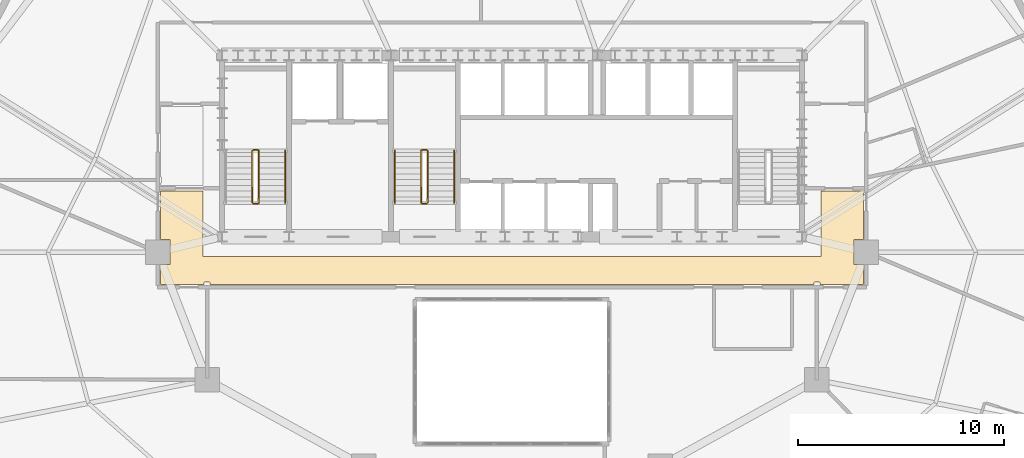
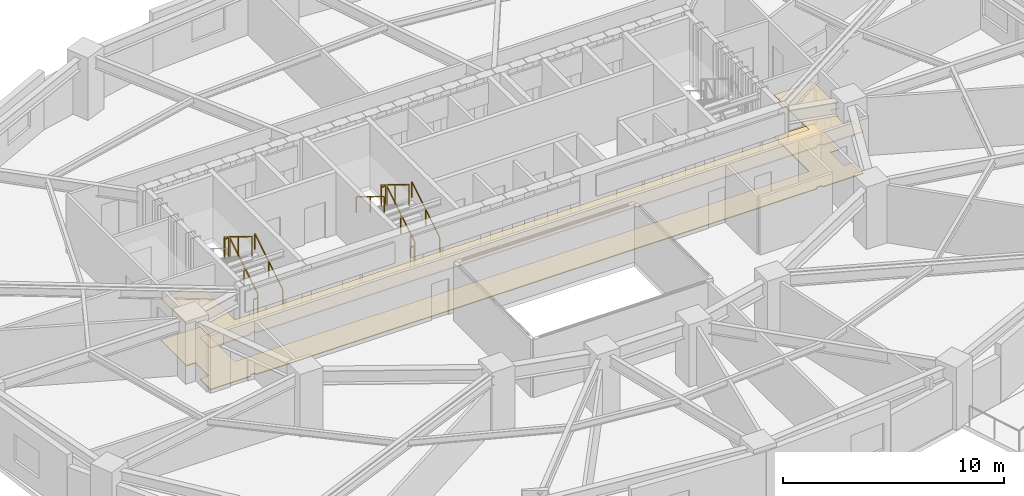
# One storey, part 11 of 12: 11 railings, 2 coverings.
"""IFC4 building model written with IfcOpenShell, lengths in metres."""

from ifc_helpers import new_model, si_unit, direction, frame, origin, origin_2d, place, context, subcontext, project, spatial, polyline, rectangle, outline, extrude, material, layer, layer_set, type_object, element, save


model = new_model("IFC4")

# Units and contexts
model_context = context("Model", 3, precision=1e-05, world=origin(), true_north=direction((0.0, 1.0)))
body_context = subcontext(model_context, "Body", "Model", "MODEL_VIEW")
ifc_project = project(units=[si_unit("LENGTHUNIT", "METRE"), si_unit("AREAUNIT", "SQUARE_METRE"), si_unit("VOLUMEUNIT", "CUBIC_METRE"), si_unit("PLANEANGLEUNIT", "RADIAN"), si_unit("MASSUNIT", "GRAM", prefix="KILO")], contexts=[model_context])

# Site, building, storey
site_placement = place(None, origin())
site = spatial("IfcSite", under=ifc_project, at=site_placement, CompositionType="ELEMENT")
building_placement = place(site_placement, origin())
building = spatial("IfcBuilding", under=site, at=building_placement, Name="Haldorwick Loom Tower", CompositionType="ELEMENT")
storey_placement = place(building_placement, frame((0.0, 0.0, 110.449951171875)))
storey = spatial("IfcBuildingStorey", under=building, at=storey_placement, Name="L29", CompositionType="ELEMENT", Elevation=110.449951171875)

# Coverings
ifc_material_1 = material(Name="Mineral Fibre Acoustic Ceiling Tile")
ifc_layer_1 = layer(ifc_material_1, 0.054931640625, Name="Mineral Fibre Acoustic Ceiling Tile")
ifc_layer_set_1 = layer_set([ifc_layer_1], Name="Mineral Fibre Acoustic Ceiling Tile")
covering_type_1 = type_object("IfcCoveringType", Name="ARC-COV-CEIL2", PredefinedType="CEILING", material=ifc_layer_set_1)
covering_1_placement = place(storey_placement, frame((0.0, 0.0, 2.302001953125)))
element("IfcCovering", 1, at=covering_1_placement, inside=storey, type_object=covering_type_1, Name="L29 Acoustic Suspended Ceiling 1", PredefinedType="CEILING", context=body_context, shape_type="SweptSolid", body=[
    extrude(outline(polyline([(21.320068359375, 24.5400390625), (21.322021484375, 24.539794921875), (21.323974609375, 24.53955078125), (21.32568359375, 24.5390625), (21.32763671875, 24.53857421875), (21.329345703125, 24.53759765625), (21.3310546875, 24.53662109375), (21.332763671875, 24.535400390625), (21.333984375, 24.5341796875), (21.33544921875, 24.53271484375), (21.336669921875, 24.531005859375), (21.337646484375, 24.529296875), (21.33837890625, 24.527587890625), (21.339111328125, 24.52587890625), (21.339599609375, 24.52392578125), (21.33984375, 24.52197265625), (21.340087890625, 24.52001953125), (21.340087890625, 24.43994140625), (50.659912109375, 24.43994140625), (50.659912109375, 24.52001953125), (50.66015625, 24.52197265625), (50.660400390625, 24.52392578125), (50.660888671875, 24.52587890625), (50.66162109375, 24.527587890625), (50.662353515625, 24.529296875), (50.663330078125, 24.531005859375), (50.66455078125, 24.53271484375), (50.666015625, 24.5341796875), (50.667236328125, 24.535400390625), (50.6689453125, 24.53662109375), (50.670654296875, 24.53759765625), (50.67236328125, 24.53857421875), (50.67431640625, 24.5390625), (50.676025390625, 24.53955078125), (50.677978515625, 24.539794921875), (50.679931640625, 24.5400390625), (50.919921875, 24.5400390625), (50.922119140625, 24.539794921875), (50.923828125, 24.53955078125), (50.92578125, 24.5390625), (50.927734375, 24.53857421875), (50.929443359375, 24.53759765625), (50.93115234375, 24.53662109375), (50.9326171875, 24.535400390625), (50.93408203125, 24.5341796875), (50.935546875, 24.53271484375), (50.9365234375, 24.531005859375), (50.9375, 24.529296875), (50.9384765625, 24.527587890625), (50.939208984375, 24.52587890625), (50.939697265625, 24.52392578125), (50.93994140625, 24.52197265625), (50.93994140625, 24.52001953125), (50.93994140625, 24.43994140625), (53.06005859375, 24.43994140625), (53.06005859375, 25.39208984375), (52.592041015625, 25.39208984375), (52.592041015625, 26.60791015625), (53.06005859375, 26.60791015625), (53.06005859375, 28.9599609375), (51.0, 28.9599609375), (51.0, 25.800048828125), (21.0, 25.800048828125), (21.0, 28.9599609375), (18.93994140625, 28.9599609375), (18.93994140625, 26.60791015625), (19.407958984375, 26.60791015625), (19.407958984375, 25.39208984375), (18.93994140625, 25.39208984375), (18.93994140625, 24.43994140625), (21.06005859375, 24.43994140625), (21.06005859375, 24.52001953125), (21.06005859375, 24.52197265625), (21.060302734375, 24.52392578125), (21.060791015625, 24.52587890625), (21.0615234375, 24.527587890625), (21.0625, 24.529296875), (21.0634765625, 24.531005859375), (21.064453125, 24.53271484375), (21.06591796875, 24.5341796875), (21.0673828125, 24.535400390625), (21.06884765625, 24.53662109375), (21.070556640625, 24.53759765625), (21.072265625, 24.53857421875), (21.07421875, 24.5390625), (21.076171875, 24.53955078125), (21.077880859375, 24.539794921875), (21.080078125, 24.5400390625), (21.320068359375, 24.5400390625)])), origin(), (0.0, 0.0, 1.0), 0.054931640625),
])
ifc_material_2 = material(Name="Polished Aggregate Terrazzo Finish")
ifc_layer_2 = layer(ifc_material_2, 0.044921875, Name="Polished Aggregate Terrazzo Finish")
ifc_layer_set_2 = layer_set([ifc_layer_2], Name="Polished Aggregate Terrazzo Finish")
covering_type_2 = type_object("IfcCoveringType", Name="ARC-COV-FLOOR2", PredefinedType="FLOORING", material=ifc_layer_set_2)
covering_2_placement = place(storey_placement, origin())
element("IfcCovering", 2, at=covering_2_placement, inside=storey, type_object=covering_type_2, Name="L29 Floor Finish 1", PredefinedType="FLOORING", context=body_context, shape_type="SweptSolid", body=[
    extrude(outline(polyline([(21.320068359375, 24.5400390625), (21.322021484375, 24.539794921875), (21.323974609375, 24.53955078125), (21.32568359375, 24.5390625), (21.32763671875, 24.53857421875), (21.329345703125, 24.53759765625), (21.3310546875, 24.53662109375), (21.332763671875, 24.535400390625), (21.333984375, 24.5341796875), (21.33544921875, 24.53271484375), (21.336669921875, 24.531005859375), (21.337646484375, 24.529296875), (21.33837890625, 24.527587890625), (21.339111328125, 24.52587890625), (21.339599609375, 24.52392578125), (21.33984375, 24.52197265625), (21.340087890625, 24.52001953125), (21.340087890625, 24.43994140625), (50.659912109375, 24.43994140625), (50.659912109375, 24.52001953125), (50.66015625, 24.52197265625), (50.660400390625, 24.52392578125), (50.660888671875, 24.52587890625), (50.66162109375, 24.527587890625), (50.662353515625, 24.529296875), (50.663330078125, 24.531005859375), (50.66455078125, 24.53271484375), (50.666015625, 24.5341796875), (50.667236328125, 24.535400390625), (50.6689453125, 24.53662109375), (50.670654296875, 24.53759765625), (50.67236328125, 24.53857421875), (50.67431640625, 24.5390625), (50.676025390625, 24.53955078125), (50.677978515625, 24.539794921875), (50.679931640625, 24.5400390625), (50.919921875, 24.5400390625), (50.922119140625, 24.539794921875), (50.923828125, 24.53955078125), (50.92578125, 24.5390625), (50.927734375, 24.53857421875), (50.929443359375, 24.53759765625), (50.93115234375, 24.53662109375), (50.9326171875, 24.535400390625), (50.93408203125, 24.5341796875), (50.935546875, 24.53271484375), (50.9365234375, 24.531005859375), (50.9375, 24.529296875), (50.9384765625, 24.527587890625), (50.939208984375, 24.52587890625), (50.939697265625, 24.52392578125), (50.93994140625, 24.52197265625), (50.93994140625, 24.52001953125), (50.93994140625, 24.43994140625), (53.06005859375, 24.43994140625), (53.06005859375, 25.39208984375), (52.592041015625, 25.39208984375), (52.592041015625, 26.60791015625), (53.06005859375, 26.60791015625), (53.06005859375, 28.9599609375), (51.0, 28.9599609375), (51.0, 25.800048828125), (21.0, 25.800048828125), (21.0, 28.9599609375), (18.93994140625, 28.9599609375), (18.93994140625, 26.60791015625), (19.407958984375, 26.60791015625), (19.407958984375, 25.39208984375), (18.93994140625, 25.39208984375), (18.93994140625, 24.43994140625), (21.06005859375, 24.43994140625), (21.06005859375, 24.52001953125), (21.06005859375, 24.52197265625), (21.060302734375, 24.52392578125), (21.060791015625, 24.52587890625), (21.0615234375, 24.527587890625), (21.0625, 24.529296875), (21.0634765625, 24.531005859375), (21.064453125, 24.53271484375), (21.06591796875, 24.5341796875), (21.0673828125, 24.535400390625), (21.06884765625, 24.53662109375), (21.070556640625, 24.53759765625), (21.072265625, 24.53857421875), (21.07421875, 24.5390625), (21.076171875, 24.53955078125), (21.077880859375, 24.539794921875), (21.080078125, 24.5400390625), (21.320068359375, 24.5400390625)])), origin(), (0.0, 0.0, 1.0), 0.045166015625),
])

# Railings
ifc_material_3 = material(Name="Steel CSA G40.21 350W", Category="steel")
railing_type_1 = type_object("IfcRailingType", Name="ARC-RLG-GUARD112", PredefinedType="GUARDRAIL", material=ifc_material_3)
railing_1_placement = place(storey_placement, frame((23.699951171875, 28.39990234375, 0.172607421875)))
element("IfcRailing", 3, at=railing_1_placement, inside=storey, type_object=railing_type_1, Name="L29 ST-01 stair guard 1", PredefinedType="GUARDRAIL", context=body_context, shape_type="SweptSolid", body=[
    extrude(rectangle(XDim=0.048095703125, YDim=0.048095703125, at=origin_2d()), frame((0.0, 0.0, 1.076171875), z_axis=(0.0, 0.851400495292, 0.524516154772), x_axis=(-1.0, 0.0, 0.0)), (0.0, 0.0, 1.0), 2.9599609375),
    extrude(rectangle(XDim=0.0419921875, YDim=0.0419921875, at=origin_2d()), origin(), (0.0, 0.0, 1.0), 1.052001953125),
    extrude(rectangle(XDim=0.0419921875, YDim=0.0419921875, at=origin_2d()), frame((0.0, 1.260009765625, 0.7763671875)), (0.0, 0.0, 1.0), 1.052001953125),
    extrude(rectangle(XDim=0.0419921875, YDim=0.0419921875, at=origin_2d()), frame((0.0, 2.52001953125, 1.552490234375)), (0.0, 0.0, 1.0), 1.052001953125),
])
railing_2_placement = place(storey_placement, frame((23.64990234375, 30.969970703125, 1.72509765625)))
element("IfcRailing", 4, at=railing_2_placement, inside=storey, type_object=railing_type_1, Name="L29 ST-01 stair guard 2", PredefinedType="GUARDRAIL", context=body_context, shape_type="SweptSolid", body=[
    extrude(rectangle(XDim=0.048095703125, YDim=0.048095703125, at=origin_2d()), frame((0.0, 0.0, 1.076171875), z_axis=(-1.0, 0.0, 0.0), x_axis=(0.0, -1.0, 0.0)), (0.0, 0.0, 1.0), 0.199951171875),
    extrude(rectangle(XDim=0.0419921875, YDim=0.0419921875, at=origin_2d()), origin(), (0.0, 0.0, 1.0), 1.052001953125),
    extrude(rectangle(XDim=0.0419921875, YDim=0.0419921875, at=origin_2d()), frame((-0.199951171875, 0.0, 0.0)), (0.0, 0.0, 1.0), 1.052001953125),
])
railing_3_placement = place(storey_placement, frame((23.39990234375, 30.919921875, 1.8974609375)))
element("IfcRailing", 5, at=railing_3_placement, inside=storey, type_object=railing_type_1, Name="L29 ST-01 stair guard 3", PredefinedType="GUARDRAIL", context=body_context, shape_type="SweptSolid", body=[
    extrude(rectangle(XDim=0.048095703125, YDim=0.048095703125, at=origin_2d()), frame((0.0, 0.0, 1.076171875), z_axis=(0.0, -0.851400495292, 0.524516154772), x_axis=(1.0, 0.0, 0.0)), (0.0, 0.0, 1.0), 2.9599609375),
    extrude(rectangle(XDim=0.0419921875, YDim=0.0419921875, at=origin_2d()), origin(), (0.0, 0.0, 1.0), 1.052001953125),
    extrude(rectangle(XDim=0.0419921875, YDim=0.0419921875, at=origin_2d()), frame((0.0, -1.260009765625, 0.7763671875)), (0.0, 0.0, 1.0), 1.052001953125),
    extrude(rectangle(XDim=0.0419921875, YDim=0.0419921875, at=origin_2d()), frame((0.0, -2.52001953125, 1.552490234375)), (0.0, 0.0, 1.0), 1.052001953125),
])
railing_4_placement = place(storey_placement, frame((23.64990234375, 28.35009765625, 0.0)))
element("IfcRailing", 6, at=railing_4_placement, inside=storey, type_object=railing_type_1, Name="L29 ST-01 stair guard 4", PredefinedType="GUARDRAIL", context=body_context, shape_type="SweptSolid", body=[
    extrude(rectangle(XDim=0.048095703125, YDim=0.048095703125, at=origin_2d()), frame((0.0, 0.0, 1.076171875), z_axis=(-1.0, 0.0, 0.0), x_axis=(0.0, -1.0, 0.0)), (0.0, 0.0, 1.0), 0.199951171875),
    extrude(rectangle(XDim=0.0419921875, YDim=0.0419921875, at=origin_2d()), origin(), (0.0, 0.0, 1.0), 1.052001953125),
    extrude(rectangle(XDim=0.0419921875, YDim=0.0419921875, at=origin_2d()), frame((-0.199951171875, 0.0, 0.0)), (0.0, 0.0, 1.0), 1.052001953125),
])
railing_5_placement = place(storey_placement, frame((31.89990234375, 28.39990234375, 0.172607421875)))
element("IfcRailing", 7, at=railing_5_placement, inside=storey, type_object=railing_type_1, Name="L29 ST-03 stair guard 1", PredefinedType="GUARDRAIL", context=body_context, shape_type="SweptSolid", body=[
    extrude(rectangle(XDim=0.048095703125, YDim=0.048095703125, at=origin_2d()), frame((0.0, 0.0, 1.076171875), z_axis=(0.0, 0.851400495292, 0.524516154772), x_axis=(-1.0, 0.0, 0.0)), (0.0, 0.0, 1.0), 2.9599609375),
    extrude(rectangle(XDim=0.0419921875, YDim=0.0419921875, at=origin_2d()), origin(), (0.0, 0.0, 1.0), 1.052001953125),
    extrude(rectangle(XDim=0.0419921875, YDim=0.0419921875, at=origin_2d()), frame((0.0, 1.260009765625, 0.7763671875)), (0.0, 0.0, 1.0), 1.052001953125),
    extrude(rectangle(XDim=0.0419921875, YDim=0.0419921875, at=origin_2d()), frame((0.0, 2.52001953125, 1.552490234375)), (0.0, 0.0, 1.0), 1.052001953125),
])
railing_6_placement = place(storey_placement, frame((31.85009765625, 30.969970703125, 1.72509765625)))
element("IfcRailing", 8, at=railing_6_placement, inside=storey, type_object=railing_type_1, Name="L29 ST-03 stair guard 2", PredefinedType="GUARDRAIL", context=body_context, shape_type="SweptSolid", body=[
    extrude(rectangle(XDim=0.048095703125, YDim=0.048095703125, at=origin_2d()), frame((0.0, 0.0, 1.076171875), z_axis=(-1.0, 0.0, 0.0), x_axis=(0.0, -1.0, 0.0)), (0.0, 0.0, 1.0), 0.2001953125),
    extrude(rectangle(XDim=0.0419921875, YDim=0.0419921875, at=origin_2d()), origin(), (0.0, 0.0, 1.0), 1.052001953125),
    extrude(rectangle(XDim=0.0419921875, YDim=0.0419921875, at=origin_2d()), frame((-0.2001953125, 0.0, 0.0)), (0.0, 0.0, 1.0), 1.052001953125),
])
railing_7_placement = place(storey_placement, frame((31.60009765625, 30.919921875, 1.8974609375)))
element("IfcRailing", 9, at=railing_7_placement, inside=storey, type_object=railing_type_1, Name="L29 ST-03 stair guard 3", PredefinedType="GUARDRAIL", context=body_context, shape_type="SweptSolid", body=[
    extrude(rectangle(XDim=0.048095703125, YDim=0.048095703125, at=origin_2d()), frame((0.0, 0.0, 1.076171875), z_axis=(0.0, -0.851400495292, 0.524516154772), x_axis=(1.0, 0.0, 0.0)), (0.0, 0.0, 1.0), 2.9599609375),
    extrude(rectangle(XDim=0.0419921875, YDim=0.0419921875, at=origin_2d()), origin(), (0.0, 0.0, 1.0), 1.052001953125),
    extrude(rectangle(XDim=0.0419921875, YDim=0.0419921875, at=origin_2d()), frame((0.0, -1.260009765625, 0.7763671875)), (0.0, 0.0, 1.0), 1.052001953125),
    extrude(rectangle(XDim=0.0419921875, YDim=0.0419921875, at=origin_2d()), frame((0.0, -2.52001953125, 1.552490234375)), (0.0, 0.0, 1.0), 1.052001953125),
])
railing_8_placement = place(storey_placement, frame((31.85009765625, 28.35009765625, 0.0)))
element("IfcRailing", 10, at=railing_8_placement, inside=storey, type_object=railing_type_1, Name="L29 ST-03 stair guard 4", PredefinedType="GUARDRAIL", context=body_context, shape_type="SweptSolid", body=[
    extrude(rectangle(XDim=0.048095703125, YDim=0.048095703125, at=origin_2d()), frame((0.0, 0.0, 1.076171875), z_axis=(-1.0, 0.0, 0.0), x_axis=(0.0, -1.0, 0.0)), (0.0, 0.0, 1.0), 0.2001953125),
    extrude(rectangle(XDim=0.0419921875, YDim=0.0419921875, at=origin_2d()), origin(), (0.0, 0.0, 1.0), 1.052001953125),
    extrude(rectangle(XDim=0.0419921875, YDim=0.0419921875, at=origin_2d()), frame((-0.2001953125, 0.0, 0.0)), (0.0, 0.0, 1.0), 1.052001953125),
])
railing_type_2 = type_object("IfcRailingType", Name="ARC-RLG-HAND092", PredefinedType="HANDRAIL", material=ifc_material_3)
for number, where, name in (
    (11, (25.0, 28.39990234375, 0.172607421875), "L29 ST-01 stair handrail 1"),
    (12, (33.199951171875, 28.39990234375, 0.172607421875), "L29 ST-03 stair handrail 1"),
):
    element("IfcRailing", number, at=place(storey_placement, frame(where)), inside=storey, type_object=railing_type_2, Name=name, PredefinedType="HANDRAIL", context=body_context, shape_type="SweptSolid", body=[
        extrude(rectangle(XDim=0.048095703125, YDim=0.048095703125, at=origin_2d()), frame((0.0, 0.0, 0.8759765625), z_axis=(0.0, 0.851400495292, 0.524516154772), x_axis=(-1.0, 0.0, 0.0)), (0.0, 0.0, 1.0), 2.9599609375),
        extrude(rectangle(XDim=0.0419921875, YDim=0.0419921875, at=origin_2d()), origin(), (0.0, 0.0, 1.0), 0.851806640625),
        extrude(rectangle(XDim=0.0419921875, YDim=0.0419921875, at=origin_2d()), frame((0.0, 1.260009765625, 0.7763671875)), (0.0, 0.0, 1.0), 0.851806640625),
        extrude(rectangle(XDim=0.0419921875, YDim=0.0419921875, at=origin_2d()), frame((0.0, 2.52001953125, 1.552490234375)), (0.0, 0.0, 1.0), 0.851806640625),
    ])
railing_9_placement = place(storey_placement, frame((30.300048828125, 30.919921875, 1.8974609375)))
element("IfcRailing", 13, at=railing_9_placement, inside=storey, type_object=railing_type_2, Name="L29 ST-03 stair handrail 2", PredefinedType="HANDRAIL", context=body_context, shape_type="SweptSolid", body=[
    extrude(rectangle(XDim=0.048095703125, YDim=0.048095703125, at=origin_2d()), frame((0.0, 0.0, 0.8759765625), z_axis=(0.0, -0.851400495292, 0.524516154772), x_axis=(1.0, 0.0, 0.0)), (0.0, 0.0, 1.0), 2.9599609375),
    extrude(rectangle(XDim=0.0419921875, YDim=0.0419921875, at=origin_2d()), origin(), (0.0, 0.0, 1.0), 0.851806640625),
    extrude(rectangle(XDim=0.0419921875, YDim=0.0419921875, at=origin_2d()), frame((0.0, -1.260009765625, 0.7763671875)), (0.0, 0.0, 1.0), 0.851806640625),
    extrude(rectangle(XDim=0.0419921875, YDim=0.0419921875, at=origin_2d()), frame((0.0, -2.52001953125, 1.552490234375)), (0.0, 0.0, 1.0), 0.851806640625),
])

save(model, "model.ifc")
